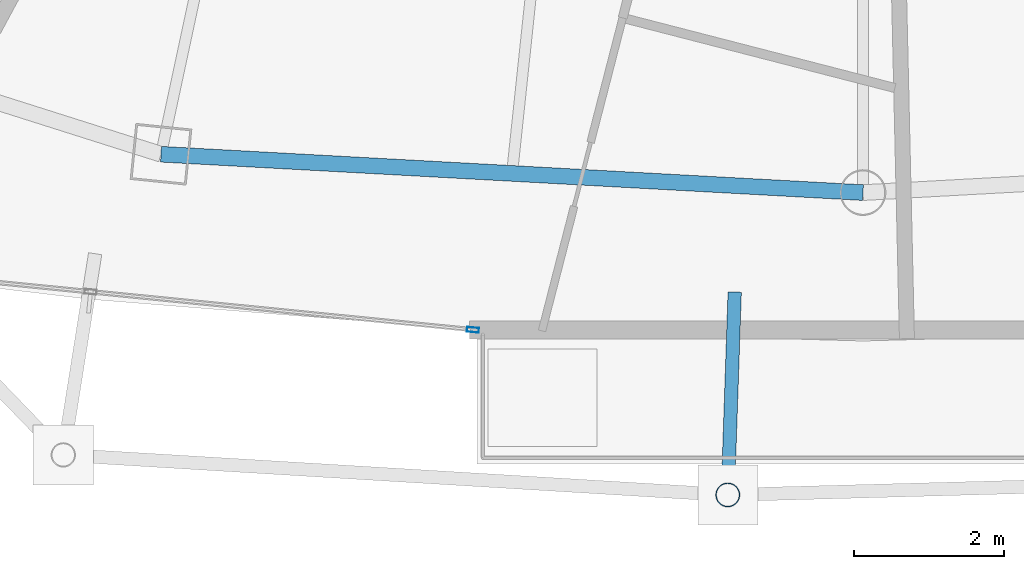
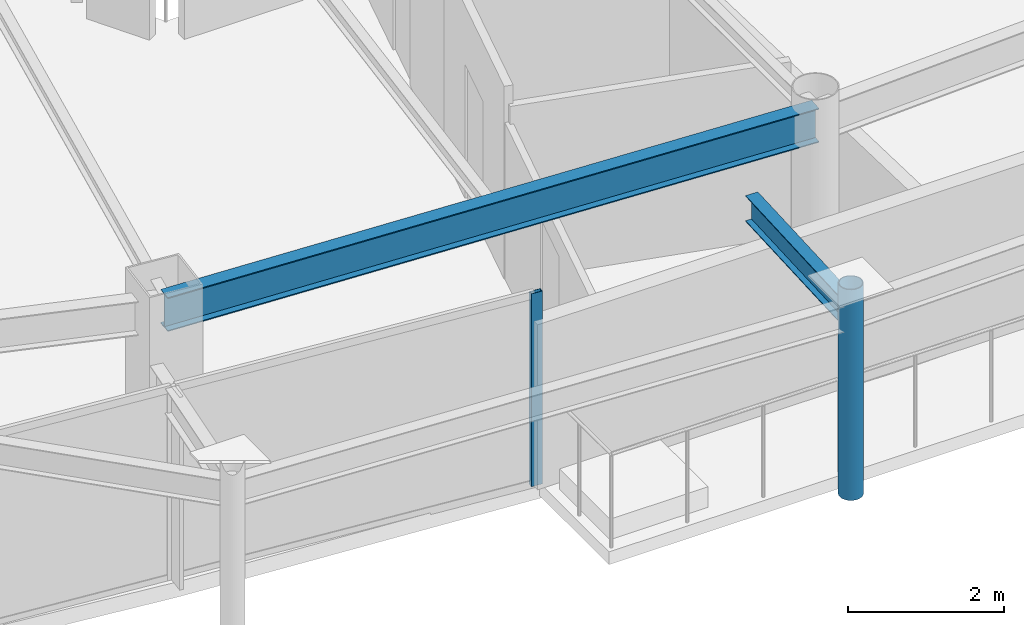
# One storey, part 7 of 30: 2 beams, 2 members, 1 element without a shape of its own.
"""IFC4 building model written with IfcOpenShell, lengths in metres."""

from ifc_helpers import new_model, si_unit, direction, frame, origin, origin_2d, place, context, subcontext, project, spatial, hollow_rectangle, hollow_circle, i_section, extrude, material, layer, layer_set, material_profile, profile_set, type_object, element, aggregate, save


model = new_model("IFC4")

# Units and contexts
model_context = context("Model", 3, precision=1e-05, world=origin(), true_north=direction((0.0, 1.0)))
body_context = subcontext(model_context, "Body", "Model", "MODEL_VIEW")
ifc_project = project(units=[si_unit("LENGTHUNIT", "METRE"), si_unit("AREAUNIT", "SQUARE_METRE"), si_unit("VOLUMEUNIT", "CUBIC_METRE"), si_unit("PLANEANGLEUNIT", "RADIAN"), si_unit("MASSUNIT", "GRAM", prefix="KILO")], contexts=[model_context])

# Site, building, storey
site_placement = place(None, origin())
site = spatial("IfcSite", under=ifc_project, at=site_placement, CompositionType="ELEMENT")
building_placement = place(site_placement, origin())
building = spatial("IfcBuilding", under=site, at=building_placement, Name="Orvanel Arch Residences", CompositionType="ELEMENT")
storey_placement = place(building_placement, frame((0.0, 0.0, 232.699951171875)))
storey = spatial("IfcBuildingStorey", under=building, at=storey_placement, Name="L66", CompositionType="ELEMENT", Elevation=232.699951171875)

# Curtain wall, member
ifc_material_1 = material(Name="Bronze-anodised aluminium AA6063-T6", Category="aluminium")
ifc_layer = layer(ifc_material_1, 0.175048828125)
ifc_layer_set = layer_set([ifc_layer], Name="Bronze-anodised aluminium AA6063-T6")
curtain_wall_type = type_object("IfcCurtainWallType", Name="CW4-HI-SYS", PredefinedType="NOTDEFINED", material=ifc_layer_set)
curtain_wall_placement = place(storey_placement, origin())
curtain_wall = element("IfcCurtainWall", 1, at=curtain_wall_placement, inside=storey, type_object=curtain_wall_type, Name="L66 CW4-HI-SYS Unitised Curtain Wall", PredefinedType="NOTDEFINED")
ifc_material_profile_1 = material_profile(ifc_material_1, hollow_rectangle(XDim=0.06494140625, YDim=0.159912109375, WallThickness=0.00390625, at=origin_2d()), Name="ALU160x65x4")
ifc_profile_set_1 = profile_set([ifc_material_profile_1], Name="Bronze-anodised aluminium AA6063-T6")
member_type_1 = type_object("IfcMemberType", Name="MUL-160x65", PredefinedType="MULLION", material=ifc_profile_set_1)
member_1_placement = place(storey_placement, frame((27.8037109375, 5.01611328125, 0.0), z_axis=(0.0, 0.0, 1.0), x_axis=(0.099032673027, 0.995084182204, 0.0)))
member_1 = element("IfcMember", 2, at=member_1_placement, type_object=member_type_1, Name="CW-S4 mullion 3", PredefinedType="MULLION", context=body_context, shape_type="SweptSolid", body=[
    extrude(hollow_rectangle(XDim=0.06494140625, YDim=0.159912109375, WallThickness=0.00390625, at=origin_2d()), origin(), (0.0, 0.0, 1.0), 3.02001953125),
])
aggregate(curtain_wall, [member_1])

# Beams
ifc_material_2 = material(Name="Structural steel AS/NZS 3679.1 Grade 300 (300 MPa)", Category="steel")
ifc_material_profile_2 = material_profile(ifc_material_2, i_section(OverallWidth=0.177978515625, OverallDepth=0.406005859375, WebThickness=0.0078125, FlangeThickness=0.0126953125, at=origin_2d()), Name="410UB59.7")
ifc_profile_set_2 = profile_set([ifc_material_profile_2], Name="Structural steel AS/NZS 3679.1 Grade 300 (300 MPa)")
beam_type_1 = type_object("IfcBeamType", Name="OB-410UB-EXT", PredefinedType="SPANDREL", material=ifc_profile_set_2)
beam_1_placement = place(storey_placement, frame((31.291015625, 5.51904296875, 2.817138671875), z_axis=(-0.034042418379, -0.999420388901, 0.0), x_axis=(0.999420388901, -0.034042418379, 0.0)))
element("IfcBeam", 3, at=beam_1_placement, inside=storey, type_object=beam_type_1, Name="L66 Outer Frame Radial Tie Beam 06", PredefinedType="SPANDREL", context=body_context, shape_type="SweptSolid", body=[
    extrude(i_section(OverallWidth=0.177978515625, OverallDepth=0.406005859375, WebThickness=0.0078125, FlangeThickness=0.0126953125, at=origin_2d()), origin(), (0.0, 0.0, 1.0), 2.70361328125),
])
ifc_material_profile_3 = material_profile(ifc_material_2, i_section(OverallWidth=0.208984375, OverallDepth=0.532958984375, WebThickness=0.01025390625, FlangeThickness=0.015625, at=origin_2d()), Name="530UB92.4")
ifc_profile_set_3 = profile_set([ifc_material_profile_3], Name="Structural steel AS/NZS 3679.1 Grade 300 (300 MPa)")
beam_type_2 = type_object("IfcBeamType", Name="SP-530UB", PredefinedType="SPANDREL", material=ifc_profile_set_3)
beam_2_placement = place(storey_placement, frame((23.64892578125, 7.35498046875, 2.7529296875), z_axis=(0.998510315598, -0.054563262768, 0.0), x_axis=(0.054563262768, 0.998510315598, 0.0)))
element("IfcBeam", 4, at=beam_2_placement, inside=storey, type_object=beam_type_2, Name="L66 Perimeter Spandrel Beam 03", PredefinedType="SPANDREL", context=body_context, shape_type="SweptSolid", body=[
    extrude(i_section(OverallWidth=0.208984375, OverallDepth=0.532958984375, WebThickness=0.01025390625, FlangeThickness=0.015625, at=origin_2d()), origin(), (0.0, 0.0, 1.0), 9.364990234375),
])

# Member
ifc_material_3 = material(Name="Structural steel AS/NZS 1163 C350L0 (Grade 350)", Category="steel")
ifc_material_profile_4 = material_profile(ifc_material_3, hollow_circle(Radius=0.162109375, WallThickness=0.0126953125, at=origin_2d()), Name="CHS324x12.7")
ifc_profile_set_4 = profile_set([ifc_material_profile_4], Name="Structural steel AS/NZS 1163 C350L0 (Grade 350)")
member_type_2 = type_object("IfcMemberType", Name="ST-324CHS-EXT", PredefinedType="STRUT", material=ifc_profile_set_4)
member_2_placement = place(storey_placement, frame((31.198974609375, 2.81689453125, 0.0), z_axis=(0.0, 0.0, 1.0), x_axis=(1.0, 0.0, 0.0)))
element("IfcMember", 5, at=member_2_placement, inside=storey, type_object=member_type_2, Name="L66 Outer Perimeter Frame Post 06", PredefinedType="STRUT", context=body_context, shape_type="SweptSolid", body=[
    extrude(hollow_circle(Radius=0.162109375, WallThickness=0.0126953125, at=origin_2d()), origin(), (0.0, 0.0, 1.0), 3.300048828125),
])

save(model, "model.ifc")
